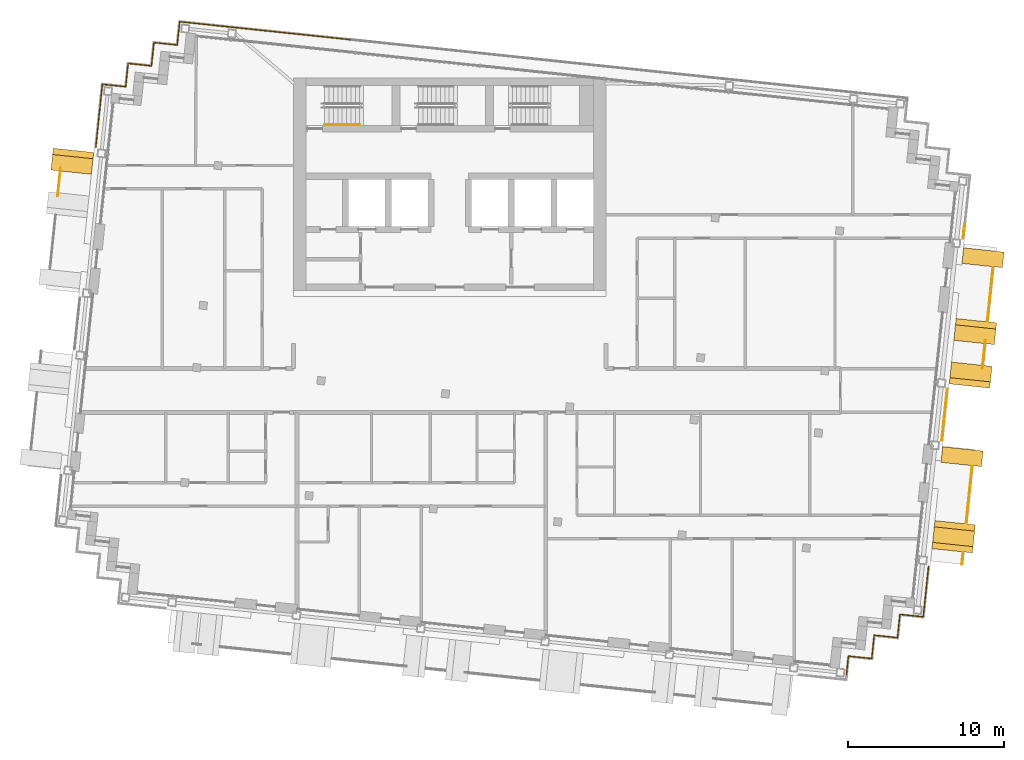
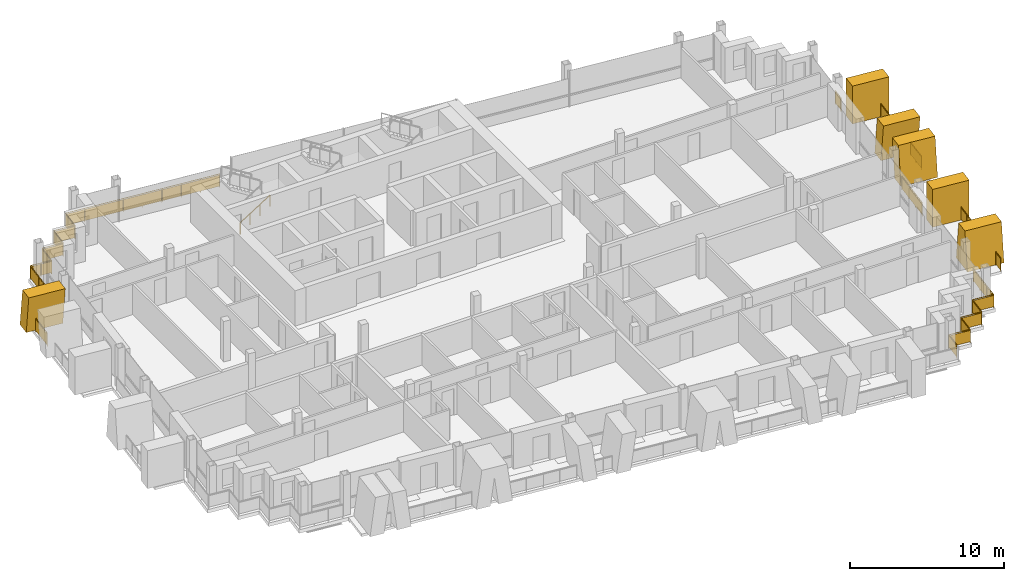
# One storey, part 14 of 16: 11 railings, 6 shading devices.
"""IFC4 building model written with IfcOpenShell, lengths in metres."""

from ifc_helpers import new_model, si_unit, direction, frame, origin, origin_2d, place, context, subcontext, project, spatial, polyline, rectangle, circle, outline, extrude, material, layer, layer_set, type_object, element, save


model = new_model("IFC4")

# Units and contexts
model_context = context("Model", 3, precision=1e-05, world=origin(), true_north=direction((0.0, 1.0)))
body_context = subcontext(model_context, "Body", "Model", "MODEL_VIEW")
ifc_project = project(units=[si_unit("LENGTHUNIT", "METRE"), si_unit("AREAUNIT", "SQUARE_METRE"), si_unit("VOLUMEUNIT", "CUBIC_METRE"), si_unit("PLANEANGLEUNIT", "RADIAN"), si_unit("MASSUNIT", "GRAM", prefix="KILO")], contexts=[model_context])

# Site, building, storey
site_placement = place(None, origin())
site = spatial("IfcSite", under=ifc_project, at=site_placement, CompositionType="ELEMENT")
building_placement = place(site_placement, origin())
building = spatial("IfcBuilding", under=site, at=building_placement, Name="Vidyagriha Tower", CompositionType="ELEMENT")
storey_placement = place(building_placement, frame((0.0, 0.0, 278.699951171875)))
storey = spatial("IfcBuildingStorey", under=building, at=storey_placement, Name="L73", CompositionType="ELEMENT", Elevation=278.699951171875)

# Railings
ifc_material_1 = material(Name="Steel ASTM A500 Grade C black painted", Category="steel")
railing_type_1 = type_object("IfcRailingType", Name="Balcony guard 1100", PredefinedType="BALUSTRADE", material=ifc_material_1)
railing_1_placement = place(storey_placement, frame((-24.90234375, 14.238525390625, 0.0)))
element("IfcRailing", 1, at=railing_1_placement, inside=storey, type_object=railing_type_1, Name="Balcony guard L73 R14.1-1", PredefinedType="BALUSTRADE", context=body_context, shape_type="SweptSolid", body=[
    extrude(circle(Radius=0.02490234375, at=origin_2d()), frame((0.0, 0.0, 1.0751953125), z_axis=(-0.104422563515, -0.99453302018, 0.0), x_axis=(0.99453302018, -0.104422563515, 0.0)), (0.0, 0.0, 1.0), 1.793212890625),
    extrude(circle(Radius=0.02001953125, at=origin_2d()), origin(), (0.0, 0.0, 1.0), 1.050048828125),
    extrude(circle(Radius=0.02001953125, at=origin_2d()), frame((-0.09375, -0.8916015625, 0.0)), (0.0, 0.0, 1.0), 1.050048828125),
    extrude(circle(Radius=0.02001953125, at=origin_2d()), frame((-0.187255859375, -1.783447265625, 0.0)), (0.0, 0.0, 1.0), 1.050048828125),
    extrude(rectangle(XDim=0.010009765625, YDim=0.900146484375, at=origin_2d()), frame((0.0, 0.0, 0.550048828125), z_axis=(-0.104422563515, -0.99453302018, 0.0), x_axis=(0.99453302018, -0.104422563515, 0.0)), (0.0, 0.0, 1.0), 1.793212890625),
])
railing_2_placement = place(storey_placement, frame((32.762451171875, -11.124755859375, 0.0)))
element("IfcRailing", 2, at=railing_2_placement, inside=storey, type_object=railing_type_1, Name="Balcony guard L73 R28.1-1", PredefinedType="BALUSTRADE", context=body_context, shape_type="SweptSolid", body=[
    extrude(circle(Radius=0.02490234375, at=origin_2d()), frame((0.0, 0.0, 1.0751953125), z_axis=(0.104498377516, 0.994525057048, 0.0), x_axis=(-0.994525057048, 0.104498377516, 0.0)), (0.0, 0.0, 1.0), 0.75),
    extrude(circle(Radius=0.02001953125, at=origin_2d()), origin(), (0.0, 0.0, 1.0), 1.050048828125),
    extrude(circle(Radius=0.02001953125, at=origin_2d()), frame((0.078369140625, 0.745849609375, 0.0)), (0.0, 0.0, 1.0), 1.050048828125),
    extrude(rectangle(XDim=0.010009765625, YDim=0.900146484375, at=origin_2d()), frame((0.0, 0.0, 0.550048828125), z_axis=(0.104498377516, 0.994525057048, 0.0), x_axis=(-0.994525057048, 0.104498377516, 0.0)), (0.0, 0.0, 1.0), 0.75),
])
railing_3_placement = place(storey_placement, frame((33.03955078125, -8.4892578125, 0.0)))
element("IfcRailing", 3, at=railing_3_placement, inside=storey, type_object=railing_type_1, Name="Balcony guard L73 R28.1-2", PredefinedType="BALUSTRADE", context=body_context, shape_type="SweptSolid", body=[
    extrude(circle(Radius=0.02490234375, at=origin_2d()), frame((0.0, 0.0, 1.0751953125), z_axis=(0.104548987786, 0.99451973794, 0.0), x_axis=(-0.99451973794, 0.104548987786, 0.0)), (0.0, 0.0, 1.0), 3.64990234375),
    extrude(circle(Radius=0.02001953125, at=origin_2d()), origin(), (0.0, 0.0, 1.0), 1.050048828125),
    extrude(circle(Radius=0.02001953125, at=origin_2d()), frame((0.095458984375, 0.907470703125, 0.0)), (0.0, 0.0, 1.0), 1.050048828125),
    extrude(circle(Radius=0.02001953125, at=origin_2d()), frame((0.19091796875, 1.81494140625, 0.0)), (0.0, 0.0, 1.0), 1.050048828125),
    extrude(circle(Radius=0.02001953125, at=origin_2d()), frame((0.2861328125, 2.722412109375, 0.0)), (0.0, 0.0, 1.0), 1.050048828125),
    extrude(circle(Radius=0.02001953125, at=origin_2d()), frame((0.381591796875, 3.6298828125, 0.0)), (0.0, 0.0, 1.0), 1.050048828125),
    extrude(rectangle(XDim=0.010009765625, YDim=0.900146484375, at=origin_2d()), frame((0.0, 0.0, 0.550048828125), z_axis=(0.104548987786, 0.99451973794, 0.0), x_axis=(-0.99451973794, 0.104548987786, 0.0)), (0.0, 0.0, 1.0), 3.64990234375),
])
railing_4_placement = place(storey_placement, frame((34.079833984375, 1.409423828125, 0.0)))
element("IfcRailing", 4, at=railing_4_placement, inside=storey, type_object=railing_type_1, Name="Balcony guard L73 R28.2-1", PredefinedType="BALUSTRADE", context=body_context, shape_type="SweptSolid", body=[
    extrude(circle(Radius=0.02490234375, at=origin_2d()), frame((0.0, 0.0, 1.0751953125), z_axis=(0.104557220267, 0.994518872465, 0.0), x_axis=(-0.994518872465, 0.104557220267, 0.0)), (0.0, 0.0, 1.0), 1.793212890625),
    extrude(circle(Radius=0.02001953125, at=origin_2d()), origin(), (0.0, 0.0, 1.0), 1.050048828125),
    extrude(circle(Radius=0.02001953125, at=origin_2d()), frame((0.09375, 0.8916015625, 0.0)), (0.0, 0.0, 1.0), 1.050048828125),
    extrude(circle(Radius=0.02001953125, at=origin_2d()), frame((0.1875, 1.783447265625, 0.0)), (0.0, 0.0, 1.0), 1.050048828125),
    extrude(rectangle(XDim=0.010009765625, YDim=0.900146484375, at=origin_2d()), frame((0.0, 0.0, 0.550048828125), z_axis=(0.104557220267, 0.994518872465, 0.0), x_axis=(-0.994518872465, 0.104557220267, 0.0)), (0.0, 0.0, 1.0), 1.793212890625),
])
railing_5_placement = place(storey_placement, frame((34.3984375, 4.439453125, 0.0)))
element("IfcRailing", 5, at=railing_5_placement, inside=storey, type_object=railing_type_1, Name="Balcony guard L73 R28.2-2", PredefinedType="BALUSTRADE", context=body_context, shape_type="SweptSolid", body=[
    extrude(circle(Radius=0.02490234375, at=origin_2d()), frame((0.0, 0.0, 1.0751953125), z_axis=(0.104519019879, 0.994522887863, 0.0), x_axis=(-0.994522887863, 0.104519019879, 0.0)), (0.0, 0.0, 1.0), 3.449951171875),
    extrude(circle(Radius=0.02001953125, at=origin_2d()), origin(), (0.0, 0.0, 1.0), 1.050048828125),
    extrude(circle(Radius=0.02001953125, at=origin_2d()), frame((0.1201171875, 1.143798828125, 0.0)), (0.0, 0.0, 1.0), 1.050048828125),
    extrude(circle(Radius=0.02001953125, at=origin_2d()), frame((0.240478515625, 2.287353515625, 0.0)), (0.0, 0.0, 1.0), 1.050048828125),
    extrude(circle(Radius=0.02001953125, at=origin_2d()), frame((0.360595703125, 3.43115234375, 0.0)), (0.0, 0.0, 1.0), 1.050048828125),
    extrude(rectangle(XDim=0.010009765625, YDim=0.900146484375, at=origin_2d()), frame((0.0, 0.0, 0.550048828125), z_axis=(0.104519019879, 0.994522887863, 0.0), x_axis=(-0.994522887863, 0.104519019879, 0.0)), (0.0, 0.0, 1.0), 3.449951171875),
])

# Shading devices
ifc_material_2 = material(Name="Precast concrete C40/50 with buff brick facing", Category="concrete")
ifc_layer_1 = layer(ifc_material_2, 1.0)
ifc_layer_set_1 = layer_set([ifc_layer_1], Name="Precast concrete C40/50 with buff brick facing")
shading_device_type_1 = type_object("IfcShadingDeviceType", Name="Brick-faced blade fin arm leaning 8 degrees", PredefinedType="USERDEFINED", material=ifc_layer_set_1)
shading_device_1_placement = place(storey_placement, frame((-24.080322265625, 15.362060546875, 0.0), z_axis=(0.0, 0.0, 1.0), x_axis=(-0.104457839748, -0.994529315664, 0.0)))
element("IfcShadingDevice", 6, at=shading_device_1_placement, inside=storey, type_object=shading_device_type_1, Name="Leaning blade fin L73 R14.330b", ObjectType="BLADE FIN", PredefinedType="USERDEFINED", context=body_context, shape_type="SweptSolid", body=[
    extrude(outline(polyline([(0.0, 0.0), (1.0, 0.0), (1.39990234375, 3.0), (0.39990234375, 3.0), (0.0, 0.0)])), frame((0.0, 1.300048828125, 0.0), z_axis=(0.0, -1.0, 0.0), x_axis=(1.0, 0.0, 0.0)), (0.0, 0.0, 1.0), 2.60009765625),
])
shading_device_2_placement = place(storey_placement, frame((33.55078125, 3.070556640625, 0.0), z_axis=(0.0, 0.0, 1.0), x_axis=(0.104457839748, 0.994529315664, 0.0)))
element("IfcShadingDevice", 7, at=shading_device_2_placement, inside=storey, type_object=shading_device_type_1, Name="Leaning blade fin L73 R28.1390a", ObjectType="BLADE FIN", PredefinedType="USERDEFINED", context=body_context, shape_type="SweptSolid", body=[
    extrude(outline(polyline([(0.39990234375, 0.0), (1.39990234375, 0.0), (1.0, 3.0), (0.0, 3.0), (0.39990234375, 0.0)])), frame((0.0, 1.300048828125, 0.0), z_axis=(0.0, -1.0, 0.0), x_axis=(1.0, 0.0, 0.0)), (0.0, 0.0, 1.0), 2.60009765625),
])
shading_device_3_placement = place(storey_placement, frame((33.258056640625, 0.285888671875, 0.0), z_axis=(0.0, 0.0, 1.0), x_axis=(0.104457839748, 0.994529315664, 0.0)))
element("IfcShadingDevice", 8, at=shading_device_3_placement, inside=storey, type_object=shading_device_type_1, Name="Leaning blade fin L73 R28.1390b", ObjectType="BLADE FIN", PredefinedType="USERDEFINED", context=body_context, shape_type="SweptSolid", body=[
    extrude(outline(polyline([(0.0, 0.0), (1.0, 0.0), (1.39990234375, 3.0), (0.39990234375, 3.0), (0.0, 0.0)])), frame((0.0, 1.300048828125, 0.0), z_axis=(0.0, -1.0, 0.0), x_axis=(1.0, 0.0, 0.0)), (0.0, 0.0, 1.0), 2.60009765625),
])
ifc_material_3 = material(Name="Precast concrete C40/50 with buff brick facing", Category="concrete")
ifc_layer_2 = layer(ifc_material_3, 1.0)
ifc_layer_set_2 = layer_set([ifc_layer_2], Name="Precast concrete C40/50 with buff brick facing")
shading_device_type_2 = type_object("IfcShadingDeviceType", Name="Brick-faced blade fin forking 8 degrees", PredefinedType="USERDEFINED", material=ifc_layer_set_2)
shading_device_4_placement = place(storey_placement, frame((32.14990234375, -10.256103515625, 0.0), z_axis=(0.0, 0.0, 1.0), x_axis=(0.104564767339, 0.994518078987, 0.0)))
element("IfcShadingDevice", 9, at=shading_device_4_placement, inside=storey, type_object=shading_device_type_2, Name="Forked blade fin L73 R28.250a", ObjectType="BLADE FIN", PredefinedType="USERDEFINED", context=body_context, shape_type="SweptSolid", body=[
    extrude(outline(polyline([(0.0, 0.0), (1.800048828125, 0.0), (1.39990234375, 3.0), (0.39990234375, 3.0), (0.0, 0.0)])), frame((0.0, 1.300048828125, 0.0), z_axis=(0.0, -1.0, 0.0), x_axis=(1.0, 0.0, 0.0)), (0.0, 0.0, 1.0), 2.60009765625),
])
ifc_material_4 = material(Name="Precast concrete C40/50 with buff brick facing", Category="concrete")
ifc_layer_3 = layer(ifc_material_4, 1.0)
ifc_layer_set_3 = layer_set([ifc_layer_3], Name="Precast concrete C40/50 with buff brick facing")
shading_device_type_3 = type_object("IfcShadingDeviceType", Name="Brick-faced blade fin stem 1000", PredefinedType="USERDEFINED", material=ifc_layer_set_3)
for number, where, z_axis, x_axis, name in (
    (10, (32.72998046875, -4.736328125, 0.0), (0.0, 0.0, 1.0), (0.104748335039, 0.99449876134, 0.0), "Stem blade fin L73 R28.990a"),
    (11, (34.068115234375, 7.993408203125, 0.0), (0.0, 0.0, 1.0), (0.104481464157, 0.994526834051, 0.0), "Stem blade fin L73 R28.2290a"),
):
    element("IfcShadingDevice", number, at=place(storey_placement, frame(where, z_axis=z_axis, x_axis=x_axis)), inside=storey, type_object=shading_device_type_3, Name=name, ObjectType="BLADE FIN", PredefinedType="USERDEFINED", context=body_context, shape_type="SweptSolid", body=[
        extrude(outline(polyline([(0.0, 0.0), (1.0, 0.0), (1.0, 3.0), (0.0, 3.0), (0.0, 0.0)])), frame((0.0, 1.300048828125, 0.0), z_axis=(0.0, -1.0, 0.0), x_axis=(1.0, 0.0, 0.0)), (0.0, 0.0, 1.0), 2.60009765625),
    ])

# Railings
ifc_material_5 = material(Name="Steel ASTM A500 Grade C black painted", Category="steel")
railing_type_2 = type_object("IfcRailingType", Name="Gallery guard 1100", PredefinedType="GUARDRAIL", material=ifc_material_5)
railing_6_placement = place(storey_placement, frame((-22.650390625, 15.57373046875, 0.0)))
element("IfcRailing", 12, at=railing_6_placement, inside=storey, type_object=railing_type_2, Name="Gallery guard L73 4", PredefinedType="GUARDRAIL", context=body_context, shape_type="SweptSolid", body=[
    extrude(circle(Radius=0.02490234375, at=origin_2d()), frame((0.0, 0.0, 1.0751953125), z_axis=(0.104546370699, 0.994520013058, 0.0), x_axis=(-0.994520013058, 0.104546370699, 0.0)), (0.0, 0.0, 1.0), 4.0400390625),
    extrude(circle(Radius=0.02490234375, at=origin_2d()), frame((0.42236328125, 4.017822265625, 1.0751953125), z_axis=(0.994526834051, -0.104481464157, 0.0), x_axis=(0.104481464157, 0.994526834051, 0.0)), (0.0, 0.0, 1.0), 1.500244140625),
    extrude(circle(Radius=0.02490234375, at=origin_2d()), frame((1.914306640625, 3.861083984375, 1.0751953125), z_axis=(0.104498377516, 0.994525057048, 0.0), x_axis=(-0.994525057048, 0.104498377516, 0.0)), (0.0, 0.0, 1.0), 1.5),
    extrude(circle(Radius=0.02490234375, at=origin_2d()), frame((2.071044921875, 5.352783203125, 1.0751953125), z_axis=(0.994525057048, -0.104498377516, 0.0), x_axis=(0.104498377516, 0.994525057048, 0.0)), (0.0, 0.0, 1.0), 1.5),
    extrude(circle(Radius=0.02490234375, at=origin_2d()), frame((3.562744140625, 5.196044921875, 1.0751953125), z_axis=(0.104498377516, 0.994525057048, 0.0), x_axis=(-0.994525057048, 0.104498377516, 0.0)), (0.0, 0.0, 1.0), 1.5),
    extrude(circle(Radius=0.02490234375, at=origin_2d()), frame((3.719482421875, 6.687744140625, 1.0751953125), z_axis=(0.994525057048, -0.104498377516, 0.0), x_axis=(0.104498377516, 0.994525057048, 0.0)), (0.0, 0.0, 1.0), 1.5),
    extrude(circle(Radius=0.02490234375, at=origin_2d()), frame((5.211181640625, 6.531005859375, 1.0751953125), z_axis=(0.10449150849, 0.994525778778, 0.0), x_axis=(-0.994525778778, 0.10449150849, 0.0)), (0.0, 0.0, 1.0), 0.460205078125),
    extrude(circle(Radius=0.02001953125, at=origin_2d()), origin(), (0.0, 0.0, 1.0), 1.050048828125),
    extrude(circle(Radius=0.02001953125, at=origin_2d()), frame((0.140869140625, 1.33935546875, 0.0)), (0.0, 0.0, 1.0), 1.050048828125),
    extrude(circle(Radius=0.02001953125, at=origin_2d()), frame((0.281494140625, 2.678466796875, 0.0)), (0.0, 0.0, 1.0), 1.050048828125),
    extrude(circle(Radius=0.02001953125, at=origin_2d()), frame((0.42236328125, 4.017822265625, 0.0)), (0.0, 0.0, 1.0), 1.050048828125),
    extrude(circle(Radius=0.02001953125, at=origin_2d()), frame((1.16845703125, 3.939453125, 0.0)), (0.0, 0.0, 1.0), 1.050048828125),
    extrude(circle(Radius=0.02001953125, at=origin_2d()), frame((1.914306640625, 3.861083984375, 0.0)), (0.0, 0.0, 1.0), 1.050048828125),
    extrude(circle(Radius=0.02001953125, at=origin_2d()), frame((2.071044921875, 5.352783203125, 0.0)), (0.0, 0.0, 1.0), 1.050048828125),
    extrude(circle(Radius=0.02001953125, at=origin_2d()), frame((3.562744140625, 5.196044921875, 0.0)), (0.0, 0.0, 1.0), 1.050048828125),
    extrude(circle(Radius=0.02001953125, at=origin_2d()), frame((3.719482421875, 6.687744140625, 0.0)), (0.0, 0.0, 1.0), 1.050048828125),
    extrude(circle(Radius=0.02001953125, at=origin_2d()), frame((5.211181640625, 6.531005859375, 0.0)), (0.0, 0.0, 1.0), 1.050048828125),
    extrude(circle(Radius=0.02001953125, at=origin_2d()), frame((5.25927734375, 6.98876953125, 0.0)), (0.0, 0.0, 1.0), 1.050048828125),
    extrude(rectangle(XDim=0.010009765625, YDim=0.900146484375, at=origin_2d()), frame((0.0, 0.0, 0.550048828125), z_axis=(0.104546370699, 0.994520013058, 0.0), x_axis=(-0.994520013058, 0.104546370699, 0.0)), (0.0, 0.0, 1.0), 4.0400390625),
    extrude(rectangle(XDim=0.010009765625, YDim=0.900146484375, at=origin_2d()), frame((0.42236328125, 4.017822265625, 0.550048828125), z_axis=(0.994526834051, -0.104481464157, 0.0), x_axis=(0.104481464157, 0.994526834051, 0.0)), (0.0, 0.0, 1.0), 1.500244140625),
    extrude(rectangle(XDim=0.010009765625, YDim=0.900146484375, at=origin_2d()), frame((1.914306640625, 3.861083984375, 0.550048828125), z_axis=(0.104498377516, 0.994525057048, 0.0), x_axis=(-0.994525057048, 0.104498377516, 0.0)), (0.0, 0.0, 1.0), 1.5),
    extrude(rectangle(XDim=0.010009765625, YDim=0.900146484375, at=origin_2d()), frame((2.071044921875, 5.352783203125, 0.550048828125), z_axis=(0.994525057048, -0.104498377516, 0.0), x_axis=(0.104498377516, 0.994525057048, 0.0)), (0.0, 0.0, 1.0), 1.5),
    extrude(rectangle(XDim=0.010009765625, YDim=0.900146484375, at=origin_2d()), frame((3.562744140625, 5.196044921875, 0.550048828125), z_axis=(0.104498377516, 0.994525057048, 0.0), x_axis=(-0.994525057048, 0.104498377516, 0.0)), (0.0, 0.0, 1.0), 1.5),
    extrude(rectangle(XDim=0.010009765625, YDim=0.900146484375, at=origin_2d()), frame((3.719482421875, 6.687744140625, 0.550048828125), z_axis=(0.994525057048, -0.104498377516, 0.0), x_axis=(0.104498377516, 0.994525057048, 0.0)), (0.0, 0.0, 1.0), 1.5),
    extrude(rectangle(XDim=0.010009765625, YDim=0.900146484375, at=origin_2d()), frame((5.211181640625, 6.531005859375, 0.550048828125), z_axis=(0.10449150849, 0.994525778778, 0.0), x_axis=(-0.994525778778, 0.10449150849, 0.0)), (0.0, 0.0, 1.0), 0.460205078125),
])
railing_7_placement = place(storey_placement, frame((-17.39111328125, 22.5625, 0.0)))
element("IfcRailing", 13, at=railing_7_placement, inside=storey, type_object=railing_type_2, Name="Gallery guard L73 5", PredefinedType="GUARDRAIL", context=body_context, shape_type="SweptSolid", body=[
    extrude(circle(Radius=0.02490234375, at=origin_2d()), frame((0.0, 0.0, 1.0751953125), z_axis=(0.104733680268, 0.994500304785, 0.0), x_axis=(-0.994500304785, 0.104733680268, 0.0)), (0.0, 0.0, 1.0), 1.03955078125),
    extrude(circle(Radius=0.02490234375, at=origin_2d()), frame((0.10888671875, 1.033935546875, 1.0751953125), z_axis=(0.994520943118, -0.104537522925, 0.0), x_axis=(0.104537522925, 0.994520943118, 0.0)), (0.0, 0.0, 1.0), 10.960205078125),
    extrude(circle(Radius=0.02001953125, at=origin_2d()), origin(), (0.0, 0.0, 1.0), 1.050048828125),
    extrude(circle(Radius=0.02001953125, at=origin_2d()), frame((0.10888671875, 1.033935546875, 0.0)), (0.0, 0.0, 1.0), 1.050048828125),
    extrude(circle(Radius=0.02001953125, at=origin_2d()), frame((1.471435546875, 0.890625, 0.0)), (0.0, 0.0, 1.0), 1.050048828125),
    extrude(circle(Radius=0.02001953125, at=origin_2d()), frame((2.833984375, 0.74755859375, 0.0)), (0.0, 0.0, 1.0), 1.050048828125),
    extrude(circle(Radius=0.02001953125, at=origin_2d()), frame((4.196533203125, 0.604248046875, 0.0)), (0.0, 0.0, 1.0), 1.050048828125),
    extrude(circle(Radius=0.02001953125, at=origin_2d()), frame((5.55908203125, 0.4609375, 0.0)), (0.0, 0.0, 1.0), 1.050048828125),
    extrude(circle(Radius=0.02001953125, at=origin_2d()), frame((6.92138671875, 0.31787109375, 0.0)), (0.0, 0.0, 1.0), 1.050048828125),
    extrude(circle(Radius=0.02001953125, at=origin_2d()), frame((8.283935546875, 0.174560546875, 0.0)), (0.0, 0.0, 1.0), 1.050048828125),
    extrude(circle(Radius=0.02001953125, at=origin_2d()), frame((9.646484375, 0.031494140625, 0.0)), (0.0, 0.0, 1.0), 1.050048828125),
    extrude(circle(Radius=0.02001953125, at=origin_2d()), frame((11.009033203125, -0.11181640625, 0.0)), (0.0, 0.0, 1.0), 1.050048828125),
    extrude(rectangle(XDim=0.010009765625, YDim=0.900146484375, at=origin_2d()), frame((0.0, 0.0, 0.550048828125), z_axis=(0.104733680268, 0.994500304785, 0.0), x_axis=(-0.994500304785, 0.104733680268, 0.0)), (0.0, 0.0, 1.0), 1.03955078125),
    extrude(rectangle(XDim=0.010009765625, YDim=0.900146484375, at=origin_2d()), frame((0.10888671875, 1.033935546875, 0.550048828125), z_axis=(0.994520943118, -0.104537522925, 0.0), x_axis=(0.104537522925, 0.994520943118, 0.0)), (0.0, 0.0, 1.0), 10.960205078125),
])
railing_8_placement = place(storey_placement, frame((32.93603515625, 10.615966796875, 0.0)))
element("IfcRailing", 14, at=railing_8_placement, inside=storey, type_object=railing_type_2, Name="Gallery guard L73 10", PredefinedType="GUARDRAIL", context=body_context, shape_type="SweptSolid", body=[
    extrude(circle(Radius=0.02490234375, at=origin_2d()), frame((0.0, 0.0, 1.0751953125), z_axis=(-0.104612561624, -0.99451305268, 0.0), x_axis=(0.99451305268, -0.104612561624, 0.0)), (0.0, 0.0, 1.0), 0.8798828125),
    extrude(circle(Radius=0.02001953125, at=origin_2d()), origin(), (0.0, 0.0, 1.0), 1.050048828125),
    extrude(circle(Radius=0.02001953125, at=origin_2d()), frame((-0.092041015625, -0.875, 0.0)), (0.0, 0.0, 1.0), 1.050048828125),
    extrude(rectangle(XDim=0.010009765625, YDim=0.900146484375, at=origin_2d()), frame((0.0, 0.0, 0.550048828125), z_axis=(-0.104612561624, -0.99451305268, 0.0), x_axis=(0.99451305268, -0.104612561624, 0.0)), (0.0, 0.0, 1.0), 0.8798828125),
])
railing_9_placement = place(storey_placement, frame((30.636474609375, -11.263427734375, 0.0)))
element("IfcRailing", 15, at=railing_9_placement, inside=storey, type_object=railing_type_2, Name="Gallery guard L73 11", PredefinedType="GUARDRAIL", context=body_context, shape_type="SweptSolid", body=[
    extrude(circle(Radius=0.02490234375, at=origin_2d()), frame((0.0, 0.0, 1.0751953125), z_axis=(-0.104590643799, -0.994515357966, 0.0), x_axis=(0.994515357966, -0.104590643799, 0.0)), (0.0, 0.0, 1.0), 3.239990234375),
    extrude(circle(Radius=0.02490234375, at=origin_2d()), frame((-0.3388671875, -3.22216796875, 1.0751953125), z_axis=(-0.994525057048, 0.104498377516, 0.0), x_axis=(-0.104498377516, -0.994525057048, 0.0)), (0.0, 0.0, 1.0), 1.5),
    extrude(circle(Radius=0.02490234375, at=origin_2d()), frame((-1.83056640625, -3.0654296875, 1.0751953125), z_axis=(-0.104498377516, -0.994525057048, 0.0), x_axis=(0.994525057048, -0.104498377516, 0.0)), (0.0, 0.0, 1.0), 1.5),
    extrude(circle(Radius=0.02490234375, at=origin_2d()), frame((-1.9873046875, -4.55712890625, 1.0751953125), z_axis=(-0.994525057048, 0.104498377516, 0.0), x_axis=(-0.104498377516, -0.994525057048, 0.0)), (0.0, 0.0, 1.0), 1.5),
    extrude(circle(Radius=0.02490234375, at=origin_2d()), frame((-3.47900390625, -4.400390625, 1.0751953125), z_axis=(-0.104659366031, -0.994508128223, 0.0), x_axis=(0.994508128223, -0.104659366031, 0.0)), (0.0, 0.0, 1.0), 1.5),
    extrude(circle(Radius=0.02490234375, at=origin_2d()), frame((-3.635986328125, -5.89208984375, 1.0751953125), z_axis=(-0.994525057048, 0.104498377516, 0.0), x_axis=(-0.104498377516, -0.994525057048, 0.0)), (0.0, 0.0, 1.0), 1.5),
    extrude(circle(Radius=0.02490234375, at=origin_2d()), frame((-5.127685546875, -5.7353515625, 1.0751953125), z_axis=(-0.104432637393, -0.994531962406, 0.0), x_axis=(0.994531962406, -0.104432637393, 0.0)), (0.0, 0.0, 1.0), 1.260009765625),
    extrude(circle(Radius=0.02001953125, at=origin_2d()), origin(), (0.0, 0.0, 1.0), 1.050048828125),
    extrude(circle(Radius=0.02001953125, at=origin_2d()), frame((-0.113037109375, -1.073974609375, 0.0)), (0.0, 0.0, 1.0), 1.050048828125),
    extrude(circle(Radius=0.02001953125, at=origin_2d()), frame((-0.225830078125, -2.148193359375, 0.0)), (0.0, 0.0, 1.0), 1.050048828125),
    extrude(circle(Radius=0.02001953125, at=origin_2d()), frame((-0.3388671875, -3.22216796875, 0.0)), (0.0, 0.0, 1.0), 1.050048828125),
    extrude(circle(Radius=0.02001953125, at=origin_2d()), frame((-1.83056640625, -3.0654296875, 0.0)), (0.0, 0.0, 1.0), 1.050048828125),
    extrude(circle(Radius=0.02001953125, at=origin_2d()), frame((-1.9873046875, -4.55712890625, 0.0)), (0.0, 0.0, 1.0), 1.050048828125),
    extrude(circle(Radius=0.02001953125, at=origin_2d()), frame((-3.47900390625, -4.400390625, 0.0)), (0.0, 0.0, 1.0), 1.050048828125),
    extrude(circle(Radius=0.02001953125, at=origin_2d()), frame((-3.635986328125, -5.89208984375, 0.0)), (0.0, 0.0, 1.0), 1.050048828125),
    extrude(circle(Radius=0.02001953125, at=origin_2d()), frame((-5.127685546875, -5.7353515625, 0.0)), (0.0, 0.0, 1.0), 1.050048828125),
    extrude(circle(Radius=0.02001953125, at=origin_2d()), frame((-5.25927734375, -6.988525390625, 0.0)), (0.0, 0.0, 1.0), 1.050048828125),
    extrude(rectangle(XDim=0.010009765625, YDim=0.900146484375, at=origin_2d()), frame((0.0, 0.0, 0.550048828125), z_axis=(-0.104590643799, -0.994515357966, 0.0), x_axis=(0.994515357966, -0.104590643799, 0.0)), (0.0, 0.0, 1.0), 3.239990234375),
    extrude(rectangle(XDim=0.010009765625, YDim=0.900146484375, at=origin_2d()), frame((-0.3388671875, -3.22216796875, 0.550048828125), z_axis=(-0.994525057048, 0.104498377516, 0.0), x_axis=(-0.104498377516, -0.994525057048, 0.0)), (0.0, 0.0, 1.0), 1.5),
    extrude(rectangle(XDim=0.010009765625, YDim=0.900146484375, at=origin_2d()), frame((-1.83056640625, -3.0654296875, 0.550048828125), z_axis=(-0.104498377516, -0.994525057048, 0.0), x_axis=(0.994525057048, -0.104498377516, 0.0)), (0.0, 0.0, 1.0), 1.5),
    extrude(rectangle(XDim=0.010009765625, YDim=0.900146484375, at=origin_2d()), frame((-1.9873046875, -4.55712890625, 0.550048828125), z_axis=(-0.994525057048, 0.104498377516, 0.0), x_axis=(-0.104498377516, -0.994525057048, 0.0)), (0.0, 0.0, 1.0), 1.5),
    extrude(rectangle(XDim=0.010009765625, YDim=0.900146484375, at=origin_2d()), frame((-3.47900390625, -4.400390625, 0.550048828125), z_axis=(-0.104659366031, -0.994508128223, 0.0), x_axis=(0.994508128223, -0.104659366031, 0.0)), (0.0, 0.0, 1.0), 1.5),
    extrude(rectangle(XDim=0.010009765625, YDim=0.900146484375, at=origin_2d()), frame((-3.635986328125, -5.89208984375, 0.550048828125), z_axis=(-0.994525057048, 0.104498377516, 0.0), x_axis=(-0.104498377516, -0.994525057048, 0.0)), (0.0, 0.0, 1.0), 1.5),
    extrude(rectangle(XDim=0.010009765625, YDim=0.900146484375, at=origin_2d()), frame((-5.127685546875, -5.7353515625, 0.550048828125), z_axis=(-0.104432637393, -0.994531962406, 0.0), x_axis=(0.994531962406, -0.104432637393, 0.0)), (0.0, 0.0, 1.0), 1.260009765625),
])
railing_10_placement = place(storey_placement, frame((31.827880859375, 0.07421875, 0.0)))
element("IfcRailing", 16, at=railing_10_placement, inside=storey, type_object=railing_type_2, Name="Gallery guard L73 13", PredefinedType="GUARDRAIL", context=body_context, shape_type="SweptSolid", body=[
    extrude(circle(Radius=0.02490234375, at=origin_2d()), frame((0.0, 0.0, 1.0751953125), z_axis=(-0.104506547029, -0.994524198614, 0.0), x_axis=(0.994524198614, -0.104506547029, 0.0)), (0.0, 0.0, 1.0), 3.280029296875),
    extrude(circle(Radius=0.02001953125, at=origin_2d()), origin(), (0.0, 0.0, 1.0), 1.050048828125),
    extrude(circle(Radius=0.02001953125, at=origin_2d()), frame((-0.1142578125, -1.08740234375, 0.0)), (0.0, 0.0, 1.0), 1.050048828125),
    extrude(circle(Radius=0.02001953125, at=origin_2d()), frame((-0.228515625, -2.174560546875, 0.0)), (0.0, 0.0, 1.0), 1.050048828125),
    extrude(circle(Radius=0.02001953125, at=origin_2d()), frame((-0.3427734375, -3.261962890625, 0.0)), (0.0, 0.0, 1.0), 1.050048828125),
    extrude(rectangle(XDim=0.010009765625, YDim=0.900146484375, at=origin_2d()), frame((0.0, 0.0, 0.550048828125), z_axis=(-0.104506547029, -0.994524198614, 0.0), x_axis=(0.994524198614, -0.104506547029, 0.0)), (0.0, 0.0, 1.0), 3.280029296875),
])
ifc_material_6 = material(Name="Steel ASTM A500 Grade C", Category="steel")
railing_type_3 = type_object("IfcRailingType", Name="Stair handrail 900 mm, steel", PredefinedType="HANDRAIL", material=ifc_material_6)
railing_11_placement = place(storey_placement, frame((-8.0, 17.0, 0.177734375)))
element("IfcRailing", 17, at=railing_11_placement, inside=storey, type_object=railing_type_3, Name="L73 ST1 stair handrail 1", PredefinedType="HANDRAIL", context=body_context, shape_type="SweptSolid", body=[
    extrude(circle(Radius=0.02392578125, at=origin_2d()), frame((0.0, 0.0, 0.8759765625), z_axis=(0.84418770128, 0.0, 0.536047689118), x_axis=(0.0, 1.0, 0.0)), (0.0, 0.0, 1.0), 2.6533203125),
    extrude(circle(Radius=0.02099609375, at=origin_2d()), origin(), (0.0, 0.0, 1.0), 0.851806640625),
    extrude(circle(Radius=0.02099609375, at=origin_2d()), frame((0.74658203125, 0.0, 0.47412109375)), (0.0, 0.0, 1.0), 0.851806640625),
    extrude(circle(Radius=0.02099609375, at=origin_2d()), frame((1.493408203125, 0.0, 0.9482421875)), (0.0, 0.0, 1.0), 0.851806640625),
    extrude(circle(Radius=0.02099609375, at=origin_2d()), frame((2.239990234375, 0.0, 1.42236328125)), (0.0, 0.0, 1.0), 0.851806640625),
])

save(model, "model.ifc")
